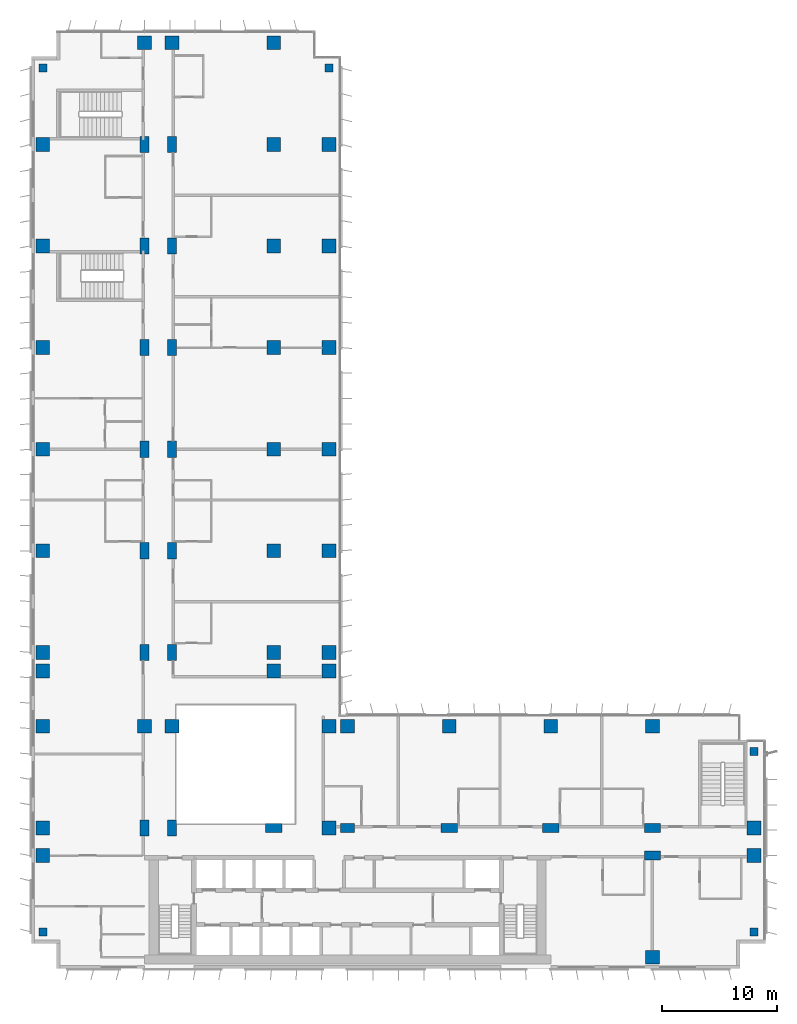
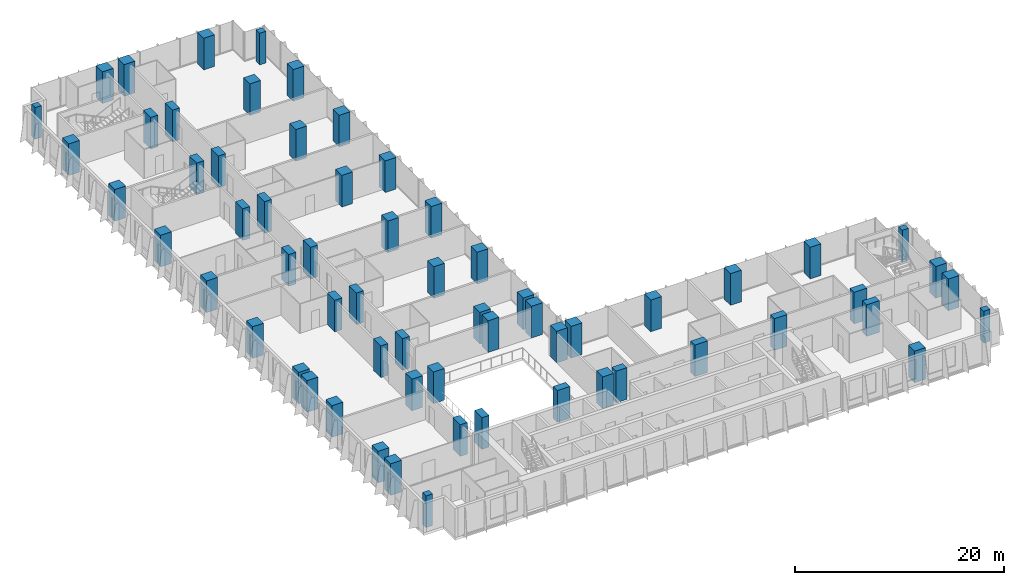
# One storey, part 1 of 22: 63 columns.
"""IFC4 building model written with IfcOpenShell, lengths in metres."""

from ifc_helpers import new_model, si_unit, direction, frame, origin, origin_2d, place, context, subcontext, project, spatial, rectangle, extrude, material, material_profile, profile_set, type_object, element, save


model = new_model("IFC4")

# Units and contexts
model_context = context("Model", 3, precision=1e-05, world=origin(), true_north=direction((0.0, 1.0)))
body_context = subcontext(model_context, "Body", "Model", "MODEL_VIEW")
ifc_project = project(units=[si_unit("LENGTHUNIT", "METRE"), si_unit("AREAUNIT", "SQUARE_METRE"), si_unit("VOLUMEUNIT", "CUBIC_METRE"), si_unit("PLANEANGLEUNIT", "RADIAN"), si_unit("MASSUNIT", "GRAM", prefix="KILO")], contexts=[model_context])

# Site, building, storey
site_placement = place(None, origin())
site = spatial("IfcSite", under=ifc_project, at=site_placement, CompositionType="ELEMENT")
building_placement = place(site_placement, origin())
building = spatial("IfcBuilding", under=site, at=building_placement, Name="Kemantara Hotel Tower", CompositionType="ELEMENT")
storey_placement = place(building_placement, frame((0.0, 0.0, 122.199951171875)))
storey = spatial("IfcBuildingStorey", under=building, at=storey_placement, Name="L29", CompositionType="ELEMENT", Elevation=122.199951171875)

# Columns
ifc_material = material(Name="Concrete fc 70 MPa", Category="concrete")
ifc_material_profile_1 = material_profile(ifc_material, rectangle(XDim=1.199951171875, YDim=1.199951171875, at=origin_2d()), Name="RC 1200X1200")
ifc_profile_set_1 = profile_set([ifc_material_profile_1], Name="Concrete fc 70 MPa")
column_type_1 = type_object("IfcColumnType", Name="RC COLUMN 1200X1200 FC70", PredefinedType="COLUMN", material=ifc_profile_set_1)
for number, where, z_axis, x_axis, name in (
    (1, (1.0, 9.800048828125, 0.0), (0.0, 0.0, 1.0), (1.0, 0.0, 0.0), "COLUMN 1/B L29"),
    (2, (1.0, 12.199951171875, 0.0), (0.0, 0.0, 1.0), (1.0, 0.0, 0.0), "COLUMN 1/BA L29"),
    (3, (1.0, 21.0, 0.0), (0.0, 0.0, 1.0), (1.0, 0.0, 0.0), "COLUMN 1/C L29"),
    (4, (1.0, 25.800048828125, 0.0), (0.0, 0.0, 1.0), (1.0, 0.0, 0.0), "COLUMN 1/CA L29"),
    (5, (1.0, 27.39990234375, 0.0), (0.0, 0.0, 1.0), (1.0, 0.0, 0.0), "COLUMN 1/D L29"),
    (6, (1.0, 36.199951171875, 0.0), (0.0, 0.0, 1.0), (1.0, 0.0, 0.0), "COLUMN 1/E L29"),
    (7, (1.0, 45.0, 0.0), (0.0, 0.0, 1.0), (1.0, 0.0, 0.0), "COLUMN 1/F L29"),
    (8, (1.0, 53.800048828125, 0.0), (0.0, 0.0, 1.0), (1.0, 0.0, 0.0), "COLUMN 1/G L29"),
    (9, (1.0, 62.60009765625, 0.0), (0.0, 0.0, 1.0), (1.0, 0.0, 0.0), "COLUMN 1/H L29"),
    (10, (1.0, 71.39990234375, 0.0), (0.0, 0.0, 1.0), (1.0, 0.0, 0.0), "COLUMN 1/J L29"),
    (11, (9.800048828125, 21.0, 0.0), (0.0, 0.0, 1.0), (1.0, 0.0, 0.0), "COLUMN 2/C L29"),
    (12, (9.800048828125, 80.199951171875, 0.0), (0.0, 0.0, 1.0), (1.0, 0.0, 0.0), "COLUMN 2/K L29"),
    (13, (12.199951171875, 21.0, 0.0), (0.0, 0.0, 1.0), (1.0, 0.0, 0.0), "COLUMN 2A/C L29"),
    (14, (12.199951171875, 80.199951171875, 0.0), (0.0, 0.0, 1.0), (1.0, 0.0, 0.0), "COLUMN 2A/K L29"),
    (15, (21.0, 25.800048828125, 0.0), (0.0, 0.0, 1.0), (1.0, 0.0, 0.0), "COLUMN 3/CA L29"),
    (16, (21.0, 27.39990234375, 0.0), (0.0, 0.0, 1.0), (1.0, 0.0, 0.0), "COLUMN 3/D L29"),
    (17, (21.0, 36.199951171875, 0.0), (0.0, 0.0, 1.0), (1.0, 0.0, 0.0), "COLUMN 3/E L29"),
    (18, (21.0, 45.0, 0.0), (0.0, 0.0, 1.0), (1.0, 0.0, 0.0), "COLUMN 3/F L29"),
    (19, (21.0, 53.800048828125, 0.0), (0.0, 0.0, 1.0), (1.0, 0.0, 0.0), "COLUMN 3/G L29"),
    (20, (21.0, 62.60009765625, 0.0), (0.0, 0.0, 1.0), (1.0, 0.0, 0.0), "COLUMN 3/H L29"),
    (21, (21.0, 71.39990234375, 0.0), (0.0, 0.0, 1.0), (1.0, 0.0, 0.0), "COLUMN 3/J L29"),
    (22, (21.0, 80.199951171875, 0.0), (0.0, 0.0, 1.0), (1.0, 0.0, 0.0), "COLUMN 3/K L29"),
    (23, (25.800048828125, 12.199951171875, 0.0), (0.0, 0.0, 1.0), (1.0, 0.0, 0.0), "COLUMN 3A/BA L29"),
    (24, (25.800048828125, 21.0, 0.0), (0.0, 0.0, 1.0), (1.0, 0.0, 0.0), "COLUMN 3A/C L29"),
    (25, (25.800048828125, 25.800048828125, 0.0), (0.0, 0.0, 1.0), (1.0, 0.0, 0.0), "COLUMN 3A/CA L29"),
    (26, (25.800048828125, 27.39990234375, 0.0), (0.0, 0.0, 1.0), (1.0, 0.0, 0.0), "COLUMN 3A/D L29"),
    (27, (25.800048828125, 36.199951171875, 0.0), (0.0, 0.0, 1.0), (1.0, 0.0, 0.0), "COLUMN 3A/E L29"),
    (28, (25.800048828125, 45.0, 0.0), (0.0, 0.0, 1.0), (1.0, 0.0, 0.0), "COLUMN 3A/F L29"),
    (29, (25.800048828125, 53.800048828125, 0.0), (0.0, 0.0, 1.0), (1.0, 0.0, 0.0), "COLUMN 3A/G L29"),
    (30, (25.800048828125, 62.60009765625, 0.0), (0.0, 0.0, 1.0), (1.0, 0.0, 0.0), "COLUMN 3A/H L29"),
    (31, (25.800048828125, 71.39990234375, 0.0), (0.0, 0.0, 1.0), (1.0, 0.0, 0.0), "COLUMN 3A/J L29"),
    (32, (27.39990234375, 21.0, 0.0), (0.0, 0.0, 1.0), (1.0, 0.0, 0.0), "COLUMN 4/C L29"),
    (33, (36.199951171875, 21.0, 0.0), (0.0, 0.0, 1.0), (1.0, 0.0, 0.0), "COLUMN 5/C L29"),
    (34, (45.0, 21.0, 0.0), (0.0, 0.0, 1.0), (1.0, 0.0, 0.0), "COLUMN 6/C L29"),
    (35, (53.800048828125, 1.0, 0.0), (0.0, 0.0, 1.0), (1.0, 0.0, 0.0), "COLUMN 7/A L29"),
    (36, (53.800048828125, 21.0, 0.0), (0.0, 0.0, 1.0), (1.0, 0.0, 0.0), "COLUMN 7/C L29"),
    (37, (62.60009765625, 9.800048828125, 0.0), (0.0, 0.0, 1.0), (1.0, 0.0, 0.0), "COLUMN 8/B L29"),
    (38, (62.60009765625, 12.199951171875, 0.0), (0.0, 0.0, 1.0), (1.0, 0.0, 0.0), "COLUMN 8/BA L29"),
):
    element("IfcColumn", number, at=place(storey_placement, frame(where, z_axis=z_axis, x_axis=x_axis)), inside=storey, type_object=column_type_1, Name=name, PredefinedType="COLUMN", context=body_context, shape_type="SweptSolid", body=[
        extrude(rectangle(XDim=1.199951171875, YDim=1.199951171875, at=origin_2d()), origin(), (0.0, 0.0, 1.0), 3.699951171875),
    ])
ifc_material_profile_2 = material_profile(ifc_material, rectangle(XDim=1.199951171875, YDim=0.800048828125, at=origin_2d()), Name="RC 1200X800")
ifc_profile_set_2 = profile_set([ifc_material_profile_2], Name="Concrete fc 70 MPa")
column_type_2 = type_object("IfcColumnType", Name="RC COLUMN 1200X800 FC70", PredefinedType="COLUMN", material=ifc_profile_set_2)
column_placement = place(storey_placement, frame((27.39990234375, 12.199951171875, 0.0), z_axis=(0.0, 0.0, 1.0), x_axis=(1.0, 0.0, 0.0)))
element("IfcColumn", 39, at=column_placement, inside=storey, type_object=column_type_2, Name="COLUMN 4/BA L29", PredefinedType="COLUMN", context=body_context, shape_type="SweptSolid", body=[
    extrude(rectangle(XDim=1.199951171875, YDim=0.800048828125, at=origin_2d()), origin(), (0.0, 0.0, 1.0), 3.699951171875),
])
ifc_material_profile_3 = material_profile(ifc_material, rectangle(XDim=1.39990234375, YDim=0.800048828125, at=origin_2d()), Name="RC 1400X800")
ifc_profile_set_3 = profile_set([ifc_material_profile_3], Name="Concrete fc 70 MPa")
column_type_3 = type_object("IfcColumnType", Name="RC COLUMN 1400X800 FC70", PredefinedType="COLUMN", material=ifc_profile_set_3)
for number, where, z_axis, x_axis, name in (
    (40, (9.800048828125, 12.199951171875, 0.0), (0.0, 0.0, 1.0), (0.0, 1.0, 0.0), "COLUMN 2/BA L29"),
    (41, (9.800048828125, 27.39990234375, 0.0), (0.0, 0.0, 1.0), (0.0, 1.0, 0.0), "COLUMN 2/D L29"),
    (42, (9.800048828125, 36.199951171875, 0.0), (0.0, 0.0, 1.0), (0.0, 1.0, 0.0), "COLUMN 2/E L29"),
    (43, (9.800048828125, 45.0, 0.0), (0.0, 0.0, 1.0), (0.0, 1.0, 0.0), "COLUMN 2/F L29"),
    (44, (9.800048828125, 53.800048828125, 0.0), (0.0, 0.0, 1.0), (0.0, 1.0, 0.0), "COLUMN 2/G L29"),
    (45, (9.800048828125, 62.60009765625, 0.0), (0.0, 0.0, 1.0), (0.0, 1.0, 0.0), "COLUMN 2/H L29"),
    (46, (9.800048828125, 71.39990234375, 0.0), (0.0, 0.0, 1.0), (0.0, 1.0, 0.0), "COLUMN 2/J L29"),
    (47, (12.199951171875, 12.199951171875, 0.0), (0.0, 0.0, 1.0), (0.0, 1.0, 0.0), "COLUMN 2A/BA L29"),
    (48, (12.199951171875, 27.39990234375, 0.0), (0.0, 0.0, 1.0), (0.0, 1.0, 0.0), "COLUMN 2A/D L29"),
    (49, (12.199951171875, 36.199951171875, 0.0), (0.0, 0.0, 1.0), (0.0, 1.0, 0.0), "COLUMN 2A/E L29"),
    (50, (12.199951171875, 45.0, 0.0), (0.0, 0.0, 1.0), (0.0, 1.0, 0.0), "COLUMN 2A/F L29"),
    (51, (12.199951171875, 53.800048828125, 0.0), (0.0, 0.0, 1.0), (0.0, 1.0, 0.0), "COLUMN 2A/G L29"),
    (52, (12.199951171875, 62.60009765625, 0.0), (0.0, 0.0, 1.0), (0.0, 1.0, 0.0), "COLUMN 2A/H L29"),
    (53, (12.199951171875, 71.39990234375, 0.0), (0.0, 0.0, 1.0), (0.0, 1.0, 0.0), "COLUMN 2A/J L29"),
    (54, (21.0, 12.199951171875, 0.0), (0.0, 0.0, 1.0), (1.0, 0.0, 0.0), "COLUMN 3/BA L29"),
    (55, (36.199951171875, 12.199951171875, 0.0), (0.0, 0.0, 1.0), (1.0, 0.0, 0.0), "COLUMN 5/BA L29"),
    (56, (45.0, 12.199951171875, 0.0), (0.0, 0.0, 1.0), (1.0, 0.0, 0.0), "COLUMN 6/BA L29"),
    (57, (53.800048828125, 9.800048828125, 0.0), (0.0, 0.0, 1.0), (1.0, 0.0, 0.0), "COLUMN 7/B L29"),
    (58, (53.800048828125, 12.199951171875, 0.0), (0.0, 0.0, 1.0), (1.0, 0.0, 0.0), "COLUMN 7/BA L29"),
):
    element("IfcColumn", number, at=place(storey_placement, frame(where, z_axis=z_axis, x_axis=x_axis)), inside=storey, type_object=column_type_3, Name=name, PredefinedType="COLUMN", context=body_context, shape_type="SweptSolid", body=[
        extrude(rectangle(XDim=1.39990234375, YDim=0.800048828125, at=origin_2d()), origin(), (0.0, 0.0, 1.0), 3.699951171875),
    ])
ifc_material_profile_4 = material_profile(ifc_material, rectangle(XDim=0.699951171875, YDim=0.699951171875, at=origin_2d()), Name="RC 700X700")
ifc_profile_set_4 = profile_set([ifc_material_profile_4], Name="Concrete fc 70 MPa")
column_type_4 = type_object("IfcColumnType", Name="RC COLUMN 700X700 FC70", PredefinedType="COLUMN", material=ifc_profile_set_4)
for number, where, z_axis, x_axis, name in (
    (59, (1.0, 3.199951171875, 0.0), (0.0, 0.0, 1.0), (1.0, 0.0, 0.0), "COLUMN notch corner L29"),
    (60, (1.0, 78.0, 0.0), (0.0, 0.0, 1.0), (1.0, 0.0, 0.0), "COLUMN notch corner L29"),
    (61, (25.800048828125, 78.0, 0.0), (0.0, 0.0, 1.0), (1.0, 0.0, 0.0), "COLUMN notch corner L29"),
    (62, (62.60009765625, 3.199951171875, 0.0), (0.0, 0.0, 1.0), (1.0, 0.0, 0.0), "COLUMN notch corner L29"),
    (63, (62.60009765625, 18.800048828125, 0.0), (0.0, 0.0, 1.0), (1.0, 0.0, 0.0), "COLUMN notch corner L29"),
):
    element("IfcColumn", number, at=place(storey_placement, frame(where, z_axis=z_axis, x_axis=x_axis)), inside=storey, type_object=column_type_4, Name=name, PredefinedType="COLUMN", context=body_context, shape_type="SweptSolid", body=[
        extrude(rectangle(XDim=0.699951171875, YDim=0.699951171875, at=origin_2d()), origin(), (0.0, 0.0, 1.0), 3.699951171875),
    ])

save(model, "model.ifc")
